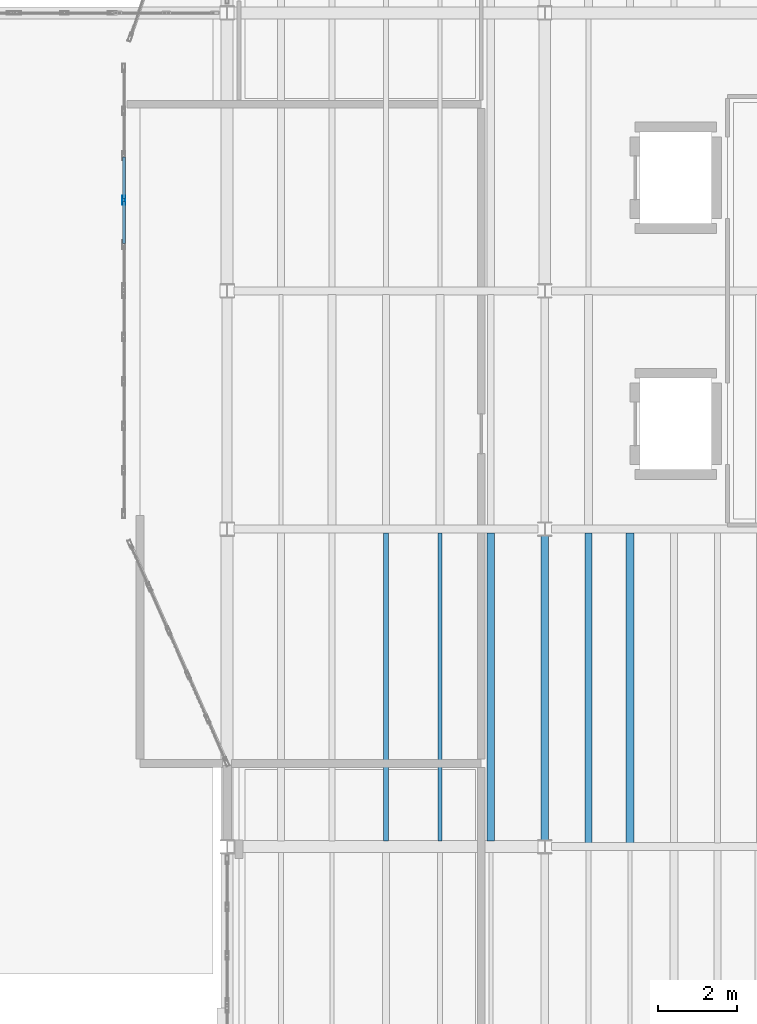
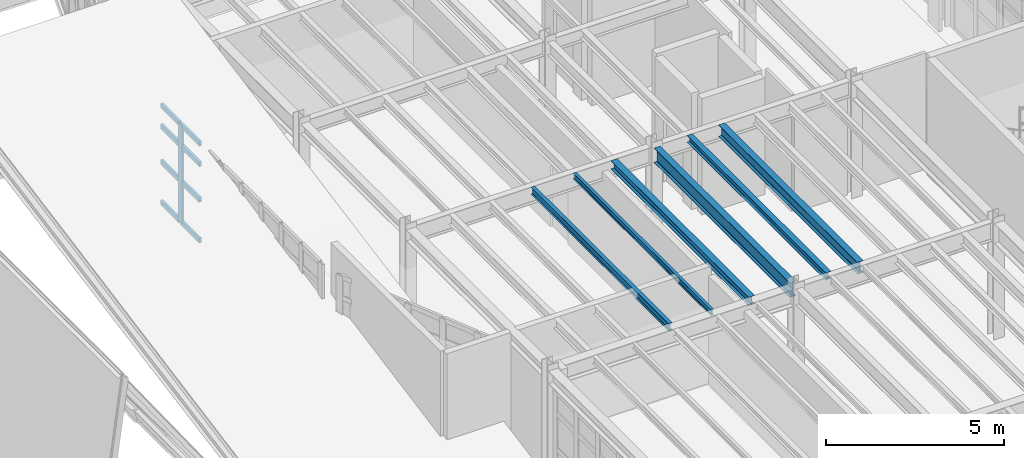
# One storey, part 33 of 77: 9 members, 6 beams, 1 element without a shape of its own.
"""IFC4 building model written with IfcOpenShell, lengths in metres."""

from ifc_helpers import new_model, si_unit, direction, frame, origin, origin_2d, place, context, subcontext, project, spatial, hollow_rectangle, i_section, extrude, material, material_profile, profile_set, type_object, element, aggregate, save


model = new_model("IFC4")

# Units and contexts
model_context = context("Model", 3, precision=1e-05, world=origin(), true_north=direction((0.0, 1.0)))
body_context = subcontext(model_context, "Body", "Model", "MODEL_VIEW")
ifc_project = project(units=[si_unit("LENGTHUNIT", "METRE"), si_unit("AREAUNIT", "SQUARE_METRE"), si_unit("VOLUMEUNIT", "CUBIC_METRE"), si_unit("PLANEANGLEUNIT", "RADIAN"), si_unit("MASSUNIT", "GRAM", prefix="KILO"), si_unit("THERMODYNAMICTEMPERATUREUNIT", "KELVIN"), si_unit("POWERUNIT", "WATT")], contexts=[model_context])

# Site, building, storey
site_placement = place(None, origin())
site = spatial("IfcSite", under=ifc_project, at=site_placement, CompositionType="ELEMENT")
building_placement = place(site_placement, origin())
building = spatial("IfcBuilding", under=site, at=building_placement, Name="Zhenchuan Central Fire Station", CompositionType="ELEMENT")
storey_placement = place(building_placement, frame((0.0, 0.0, 10.050048828125)))
storey = spatial("IfcBuildingStorey", under=building, at=storey_placement, Name="L03", CompositionType="ELEMENT", Elevation=10.050048828125)

# Beam
ifc_material_1 = material(Name="Steel Q355B", Category="steel")
ifc_material_profile_1 = material_profile(ifc_material_1, i_section(OverallWidth=0.199951171875, OverallDepth=0.5, WebThickness=0.010009765625, FlangeThickness=0.01611328125, FilletRadius=0.02001953125, at=origin_2d()), Name="HN 500x200")
ifc_profile_set_1 = profile_set([ifc_material_profile_1], Name="Steel Q355B")
beam_type_1 = type_object("IfcBeamType", Name="BM-HN500-INT", PredefinedType="BEAM", material=ifc_profile_set_1)
beam_1_placement = place(storey_placement, frame((148.0, 14.675048828125, 3.75), z_axis=(0.0, 1.0, 0.0), x_axis=(-1.0, 0.0, 0.0)))
element("IfcBeam", 1, at=beam_1_placement, inside=storey, type_object=beam_type_1, Name="L04 Girder NS 0411", PredefinedType="BEAM", context=body_context, shape_type="SweptSolid", body=[
    extrude(i_section(OverallWidth=0.199951171875, OverallDepth=0.5, WebThickness=0.010009765625, FlangeThickness=0.01611328125, FilletRadius=0.02001953125, at=origin_2d()), origin(), (0.0, 0.0, 1.0), 7.64990234375),
])

# Curtain wall, members
ifc_material_2 = material(Name="Anodised aluminium and low-E glazing", Category="aluminium")
curtain_wall_type = type_object("IfcCurtainWallType", Name="CW-MOD-17", PredefinedType="USERDEFINED", material=ifc_material_2)
curtain_wall_placement = place(storey_placement, origin())
curtain_wall = element("IfcCurtainWall", 2, at=curtain_wall_placement, inside=storey, type_object=curtain_wall_type, Name="L03 Unitised Curtain Wall 120", ObjectType="UNITISED GLAZING", PredefinedType="USERDEFINED")
ifc_material_3 = material(Name="Anodised aluminium EN AW-6063", Category="aluminium")
ifc_material_profile_2 = material_profile(ifc_material_3, hollow_rectangle(XDim=0.080078125, YDim=0.219970703125, WallThickness=0.005615234375, at=origin_2d()), Name="ALU-M 220x80")
ifc_profile_set_2 = profile_set([ifc_material_profile_2], Name="Anodised aluminium EN AW-6063")
member_type_1 = type_object("IfcMemberType", Name="CW-MUL200", PredefinedType="MULLION", material=ifc_profile_set_2)
member_1_placement = place(storey_placement, frame((137.39990234375, 30.78271484375, -0.004150390625), z_axis=(0.0, 0.0, 1.0), x_axis=(-1.0, 0.0, 0.0)))
member_1 = element("IfcMember", 3, at=member_1_placement, type_object=member_type_1, Name="CW-17 mullion 3", PredefinedType="MULLION", context=body_context, shape_type="SweptSolid", body=[
    extrude(hollow_rectangle(XDim=0.080078125, YDim=0.219970703125, WallThickness=0.005615234375, at=origin_2d()), origin(), (0.0, 0.0, 1.0), 3.404052734375),
])
ifc_material_profile_3 = material_profile(ifc_material_3, hollow_rectangle(XDim=0.080078125, YDim=0.1650390625, WallThickness=0.0048828125, at=origin_2d()), Name="ALU-T 165x80")
ifc_profile_set_3 = profile_set([ifc_material_profile_3], Name="Anodised aluminium EN AW-6063")
member_type_2 = type_object("IfcMemberType", Name="CW-TRN150", PredefinedType="NOTDEFINED", material=ifc_profile_set_3)
member_2_placement = place(storey_placement, frame((137.39990234375, 29.697998046875, 0.033447265625), z_axis=(0.0, 1.0, 0.0), x_axis=(-1.0, 0.0, 0.0)))
member_2 = element("IfcMember", 4, at=member_2_placement, type_object=member_type_2, Name="CW-17 transom 2.1", ObjectType="TRANSOM", PredefinedType="USERDEFINED", context=body_context, shape_type="SweptSolid", body=[
    extrude(hollow_rectangle(XDim=0.080078125, YDim=0.1650390625, WallThickness=0.0048828125, at=origin_2d()), origin(), (0.0, 0.0, 1.0), 1.04736328125),
])
member_3_placement = place(storey_placement, frame((137.39990234375, 29.697998046875, 1.427978515625), z_axis=(0.0, 1.0, 0.0), x_axis=(-1.0, 0.0, 0.0)))
member_3 = element("IfcMember", 5, at=member_3_placement, type_object=member_type_2, Name="CW-17 transom 2.2", ObjectType="TRANSOM", PredefinedType="USERDEFINED", context=body_context, shape_type="SweptSolid", body=[
    extrude(hollow_rectangle(XDim=0.080078125, YDim=0.1650390625, WallThickness=0.0048828125, at=origin_2d()), origin(), (0.0, 0.0, 1.0), 1.04736328125),
])
member_4_placement = place(storey_placement, frame((137.39990234375, 29.697998046875, 2.65185546875), z_axis=(0.0, 1.0, 0.0), x_axis=(-1.0, 0.0, 0.0)))
member_4 = element("IfcMember", 6, at=member_4_placement, type_object=member_type_2, Name="CW-17 transom 2.3", ObjectType="TRANSOM", PredefinedType="USERDEFINED", context=body_context, shape_type="SweptSolid", body=[
    extrude(hollow_rectangle(XDim=0.080078125, YDim=0.1650390625, WallThickness=0.0048828125, at=origin_2d()), origin(), (0.0, 0.0, 1.0), 1.04736328125),
])
member_5_placement = place(storey_placement, frame((137.39990234375, 29.697998046875, 3.362548828125), z_axis=(0.0, 1.0, 0.0), x_axis=(-1.0, 0.0, 0.0)))
member_5 = element("IfcMember", 7, at=member_5_placement, type_object=member_type_2, Name="CW-17 transom 2.4", ObjectType="TRANSOM", PredefinedType="USERDEFINED", context=body_context, shape_type="SweptSolid", body=[
    extrude(hollow_rectangle(XDim=0.080078125, YDim=0.1650390625, WallThickness=0.0048828125, at=origin_2d()), origin(), (0.0, 0.0, 1.0), 1.04736328125),
])
member_6_placement = place(storey_placement, frame((137.39990234375, 30.8203125, 0.033447265625), z_axis=(0.0, 1.0, 0.0), x_axis=(-1.0, 0.0, 0.0)))
member_6 = element("IfcMember", 8, at=member_6_placement, type_object=member_type_2, Name="CW-17 transom 3.1", ObjectType="TRANSOM", PredefinedType="USERDEFINED", context=body_context, shape_type="SweptSolid", body=[
    extrude(hollow_rectangle(XDim=0.080078125, YDim=0.1650390625, WallThickness=0.0048828125, at=origin_2d()), origin(), (0.0, 0.0, 1.0), 1.04736328125),
])
member_7_placement = place(storey_placement, frame((137.39990234375, 30.8203125, 1.427978515625), z_axis=(0.0, 1.0, 0.0), x_axis=(-1.0, 0.0, 0.0)))
member_7 = element("IfcMember", 9, at=member_7_placement, type_object=member_type_2, Name="CW-17 transom 3.2", ObjectType="TRANSOM", PredefinedType="USERDEFINED", context=body_context, shape_type="SweptSolid", body=[
    extrude(hollow_rectangle(XDim=0.080078125, YDim=0.1650390625, WallThickness=0.0048828125, at=origin_2d()), origin(), (0.0, 0.0, 1.0), 1.04736328125),
])
member_8_placement = place(storey_placement, frame((137.39990234375, 30.8203125, 2.65185546875), z_axis=(0.0, 1.0, 0.0), x_axis=(-1.0, 0.0, 0.0)))
member_8 = element("IfcMember", 10, at=member_8_placement, type_object=member_type_2, Name="CW-17 transom 3.3", ObjectType="TRANSOM", PredefinedType="USERDEFINED", context=body_context, shape_type="SweptSolid", body=[
    extrude(hollow_rectangle(XDim=0.080078125, YDim=0.1650390625, WallThickness=0.0048828125, at=origin_2d()), origin(), (0.0, 0.0, 1.0), 1.04736328125),
])
member_9_placement = place(storey_placement, frame((137.39990234375, 30.8203125, 3.362548828125), z_axis=(0.0, 1.0, 0.0), x_axis=(-1.0, 0.0, 0.0)))
member_9 = element("IfcMember", 11, at=member_9_placement, type_object=member_type_2, Name="CW-17 transom 3.4", ObjectType="TRANSOM", PredefinedType="USERDEFINED", context=body_context, shape_type="SweptSolid", body=[
    extrude(hollow_rectangle(XDim=0.080078125, YDim=0.1650390625, WallThickness=0.0048828125, at=origin_2d()), origin(), (0.0, 0.0, 1.0), 1.04736328125),
])
aggregate(curtain_wall, [member_1, member_2, member_3, member_4, member_5, member_6, member_7, member_8, member_9])

# Beams
ifc_material_profile_4 = material_profile(ifc_material_1, i_section(OverallWidth=0.175048828125, OverallDepth=0.243896484375, WebThickness=0.007080078125, FlangeThickness=0.010986328125, FilletRadius=0.012939453125, at=origin_2d()), Name="HM 244x175")
ifc_profile_set_4 = profile_set([ifc_material_profile_4], Name="Steel Q355B")
beam_type_2 = type_object("IfcBeamType", Name="JS-HM244", PredefinedType="JOIST", material=ifc_profile_set_4)
beam_2_placement = place(storey_placement, frame((149.10498046875, 14.596923828125, 3.8779296875), z_axis=(0.0, 1.0, 0.0), x_axis=(-1.0, 0.0, 0.0)))
element("IfcBeam", 12, at=beam_2_placement, inside=storey, type_object=beam_type_2, Name="L04 Secondary Joist 0595", PredefinedType="JOIST", context=body_context, shape_type="SweptSolid", body=[
    extrude(i_section(OverallWidth=0.175048828125, OverallDepth=0.243896484375, WebThickness=0.007080078125, FlangeThickness=0.010986328125, FilletRadius=0.012939453125, at=origin_2d()), origin(), (0.0, 0.0, 1.0), 7.80615234375),
])
ifc_material_profile_5 = material_profile(ifc_material_1, i_section(OverallWidth=0.199951171875, OverallDepth=0.2939453125, WebThickness=0.008056640625, FlangeThickness=0.011962890625, FilletRadius=0.01611328125, at=origin_2d()), Name="HM 294x200")
ifc_profile_set_5 = profile_set([ifc_material_profile_5], Name="Steel Q355B")
beam_type_3 = type_object("IfcBeamType", Name="JS-HM294", PredefinedType="JOIST", material=ifc_profile_set_5)
beam_3_placement = place(storey_placement, frame((146.639892578125, 14.64697265625, 3.85302734375), z_axis=(0.0, 1.0, 0.0), x_axis=(-1.0, 0.0, 0.0)))
element("IfcBeam", 13, at=beam_3_placement, inside=storey, type_object=beam_type_3, Name="L04 Secondary Joist 0594", PredefinedType="JOIST", context=body_context, shape_type="SweptSolid", body=[
    extrude(i_section(OverallWidth=0.199951171875, OverallDepth=0.2939453125, WebThickness=0.008056640625, FlangeThickness=0.011962890625, FilletRadius=0.01611328125, at=origin_2d()), origin(), (0.0, 0.0, 1.0), 7.756103515625),
])
ifc_material_profile_6 = material_profile(ifc_material_1, i_section(OverallWidth=0.10009765625, OverallDepth=0.199951171875, WebThickness=0.005615234375, FlangeThickness=0.008056640625, FilletRadius=0.010986328125, at=origin_2d()), Name="HN 200x100")
ifc_profile_set_6 = profile_set([ifc_material_profile_6], Name="Steel Q355B")
beam_type_4 = type_object("IfcBeamType", Name="JS-HN200", PredefinedType="JOIST", material=ifc_profile_set_6)
beam_4_placement = place(storey_placement, frame((145.360107421875, 14.64697265625, 3.89990234375), z_axis=(0.0, 1.0, 0.0), x_axis=(-1.0, 0.0, 0.0)))
element("IfcBeam", 14, at=beam_4_placement, inside=storey, type_object=beam_type_4, Name="L04 Secondary Joist 0593", PredefinedType="JOIST", context=body_context, shape_type="SweptSolid", body=[
    extrude(i_section(OverallWidth=0.10009765625, OverallDepth=0.199951171875, WebThickness=0.005615234375, FlangeThickness=0.008056640625, FilletRadius=0.010986328125, at=origin_2d()), origin(), (0.0, 0.0, 1.0), 7.756103515625),
])
ifc_material_profile_7 = material_profile(ifc_material_1, i_section(OverallWidth=0.125, OverallDepth=0.25, WebThickness=0.006103515625, FlangeThickness=0.009033203125, FilletRadius=0.011962890625, at=origin_2d()), Name="HN 250x125")
ifc_profile_set_7 = profile_set([ifc_material_profile_7], Name="Steel Q355B")
beam_type_5 = type_object("IfcBeamType", Name="JS-HN250", PredefinedType="JOIST", material=ifc_profile_set_7)
beam_5_placement = place(storey_placement, frame((144.0, 14.64697265625, 3.875), z_axis=(0.0, 1.0, 0.0), x_axis=(-1.0, 0.0, 0.0)))
element("IfcBeam", 15, at=beam_5_placement, inside=storey, type_object=beam_type_5, Name="L04 Secondary Joist 0592", PredefinedType="JOIST", context=body_context, shape_type="SweptSolid", body=[
    extrude(i_section(OverallWidth=0.125, OverallDepth=0.25, WebThickness=0.006103515625, FlangeThickness=0.009033203125, FilletRadius=0.011962890625, at=origin_2d()), origin(), (0.0, 0.0, 1.0), 7.756103515625),
])
ifc_material_profile_8 = material_profile(ifc_material_1, i_section(OverallWidth=0.199951171875, OverallDepth=0.39990234375, WebThickness=0.008056640625, FlangeThickness=0.012939453125, FilletRadius=0.01611328125, at=origin_2d()), Name="HN 400x200")
ifc_profile_set_8 = profile_set([ifc_material_profile_8], Name="Steel Q355B")
beam_type_6 = type_object("IfcBeamType", Name="JS-HN400", PredefinedType="JOIST", material=ifc_profile_set_8)
beam_6_placement = place(storey_placement, frame((150.14501953125, 14.596923828125, 3.800048828125), z_axis=(0.0, 1.0, 0.0), x_axis=(-1.0, 0.0, 0.0)))
element("IfcBeam", 16, at=beam_6_placement, inside=storey, type_object=beam_type_6, Name="L04 Secondary Joist 0596", PredefinedType="JOIST", context=body_context, shape_type="SweptSolid", body=[
    extrude(i_section(OverallWidth=0.199951171875, OverallDepth=0.39990234375, WebThickness=0.008056640625, FlangeThickness=0.012939453125, FilletRadius=0.01611328125, at=origin_2d()), origin(), (0.0, 0.0, 1.0), 7.80615234375),
])

save(model, "model.ifc")
